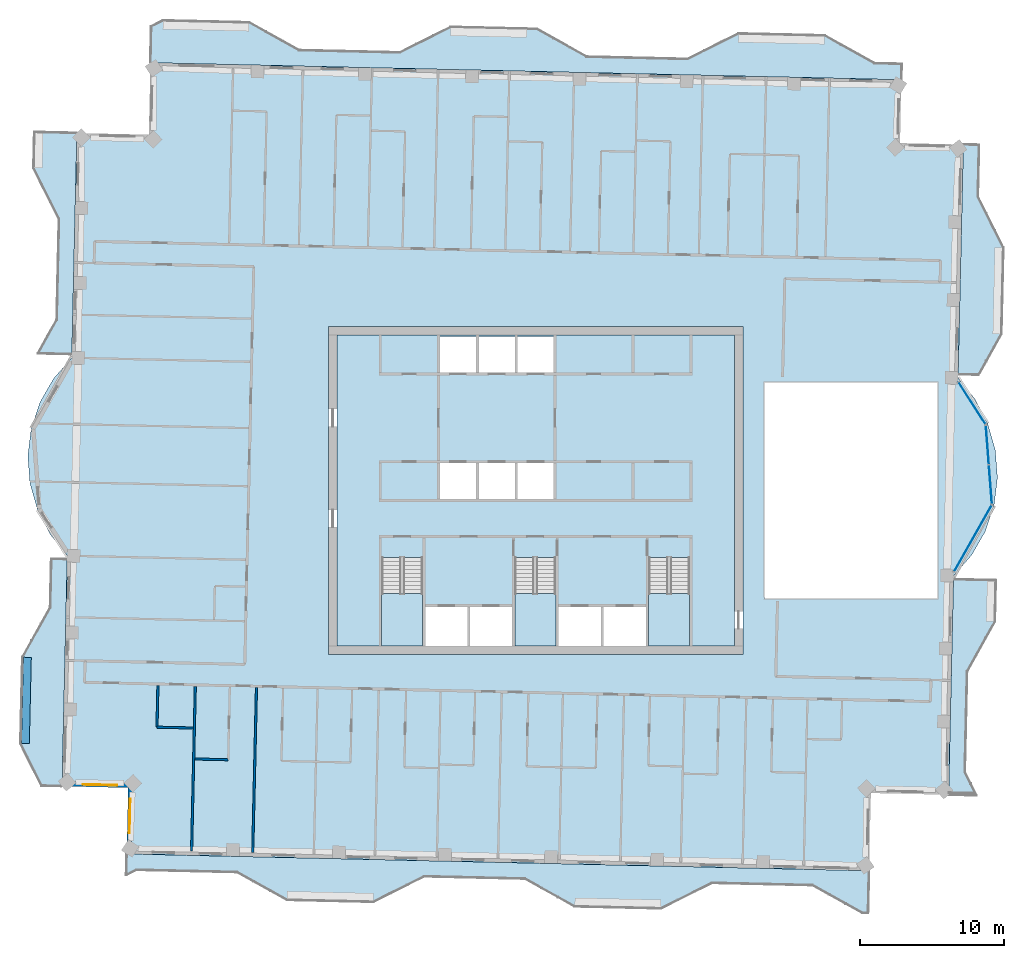
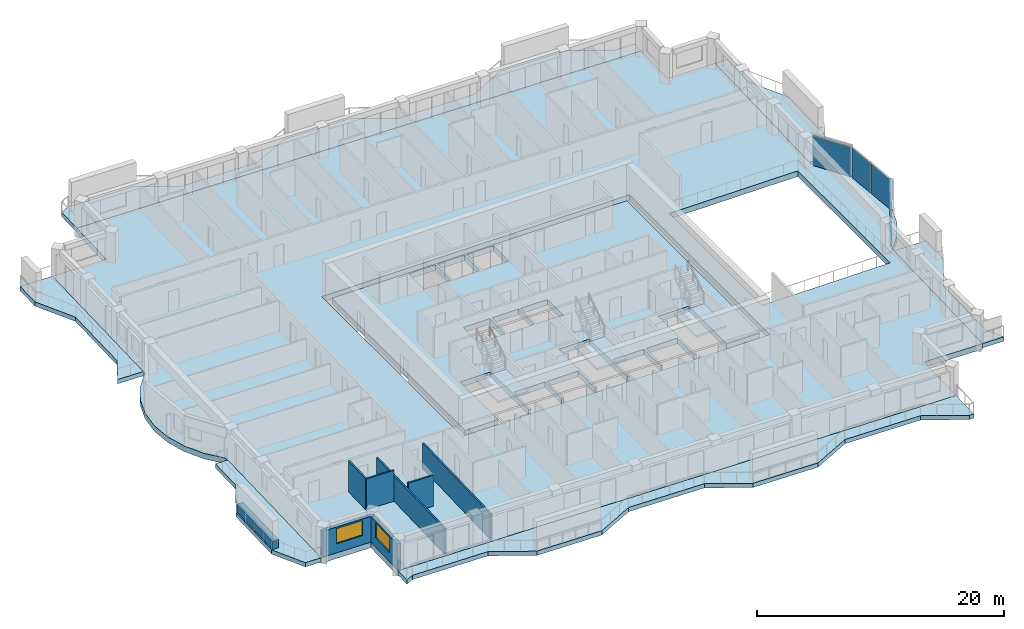
# One storey, part 3 of 15: 11 slabs, 8 walls, 4 plates, 2 windows, 2 openings, 6 elements without a shape of their own.
"""IFC4 building model written with IfcOpenShell, lengths in metres."""

from ifc_helpers import new_model, si_unit, direction, frame, frame_2d, origin, origin_2d, place, context, subcontext, project, spatial, polyline, rectangle, outline, extrude, material, layer, layer_set, type_object, element, fill, aggregate, save


model = new_model("IFC4")

# Units and contexts
model_context = context("Model", 3, precision=1e-05, world=origin(), true_north=direction((0.0, 1.0)))
body_context = subcontext(model_context, "Body", "Model", "MODEL_VIEW")
ifc_project = project(units=[si_unit("LENGTHUNIT", "METRE"), si_unit("AREAUNIT", "SQUARE_METRE"), si_unit("VOLUMEUNIT", "CUBIC_METRE"), si_unit("PLANEANGLEUNIT", "RADIAN"), si_unit("MASSUNIT", "GRAM", prefix="KILO")], contexts=[model_context])

# Site, building, storey
site_placement = place(None, origin())
site = spatial("IfcSite", under=ifc_project, at=site_placement, CompositionType="ELEMENT")
building_placement = place(site_placement, origin())
building = spatial("IfcBuilding", under=site, at=building_placement, Name="Mangrove Gate Tower", CompositionType="ELEMENT")
storey_placement = place(building_placement, frame((0.0, 0.0, 306.10009765625)))
storey = spatial("IfcBuildingStorey", under=building, at=storey_placement, Name="L78", CompositionType="ELEMENT", Elevation=306.10009765625)

# Curtain wall, plate
ifc_material_1 = material(Name="Aluminium and glass curtain wall", Category="aluminium")
curtain_wall_type = type_object("IfcCurtainWallType", Name="Atrium garden-court glazing wall", PredefinedType="NOTDEFINED", material=ifc_material_1)
curtain_wall_1_placement = place(storey_placement, origin())
curtain_wall_1 = element("IfcCurtainWall", 1, at=curtain_wall_1_placement, inside=storey, type_object=curtain_wall_type, Name="Atrium garden-court glazing E1f1", PredefinedType="NOTDEFINED")
ifc_material_2 = material(Name="Laminated low-e glass", Category="glass")
ifc_layer_1 = layer(ifc_material_2, 0.031982421875)
ifc_layer_set_1 = layer_set([ifc_layer_1], Name="Atrium garden-court glazing panel 32")
plate_type = type_object("IfcPlateType", Name="Atrium garden-court glazing panel 32", PredefinedType="CURTAIN_PANEL", material=ifc_layer_set_1)
plate_1_placement = place(storey_placement, frame((30.381103515625, -3.32861328125, 0.0), z_axis=(0.0, 0.0, 1.0), x_axis=(0.4925871539, 0.870263118725, 0.0)))
plate_1 = element("IfcPlate", 2, at=plate_1_placement, type_object=plate_type, Name="CWA panel 1.1", PredefinedType="CURTAIN_PANEL", context=body_context, shape_type="SweptSolid", body=[
    extrude(rectangle(XDim=5.258056640625, YDim=0.031982421875, at=origin_2d()), origin(), (0.0, 0.0, 1.0), 2.97998046875),
])
aggregate(curtain_wall_1, [plate_1])

# Curtain wall, plates
curtain_wall_2_placement = place(storey_placement, origin())
curtain_wall_2 = element("IfcCurtainWall", 3, at=curtain_wall_2_placement, inside=storey, type_object=curtain_wall_type, Name="Atrium garden-court glazing E1f2", PredefinedType="NOTDEFINED")
plate_2_placement = place(storey_placement, frame((31.601806640625, 0.427001953125, 0.0), z_axis=(0.0, 0.0, 1.0), x_axis=(-0.077023348212, 0.997029289354, 0.0)))
plate_2 = element("IfcPlate", 4, at=plate_2_placement, type_object=plate_type, Name="CWA panel 1.1", PredefinedType="CURTAIN_PANEL", context=body_context, shape_type="SweptSolid", body=[
    extrude(rectangle(XDim=2.681640625, YDim=0.031982421875, at=origin_2d()), origin(), (0.0, 0.0, 1.0), 2.97998046875),
])
plate_3_placement = place(storey_placement, frame((31.389892578125, 3.17041015625, 0.0), z_axis=(0.0, 0.0, 1.0), x_axis=(-0.077023348212, 0.997029289354, 0.0)))
plate_3 = element("IfcPlate", 5, at=plate_3_placement, type_object=plate_type, Name="CWA panel 2.1", PredefinedType="CURTAIN_PANEL", context=body_context, shape_type="SweptSolid", body=[
    extrude(rectangle(XDim=2.681640625, YDim=0.031982421875, at=origin_2d()), origin(), (0.0, 0.0, 1.0), 2.97998046875),
])
aggregate(curtain_wall_2, [plate_2, plate_3])

# Curtain wall, plate
curtain_wall_3_placement = place(storey_placement, origin())
curtain_wall_3 = element("IfcCurtainWall", 6, at=curtain_wall_3_placement, inside=storey, type_object=curtain_wall_type, Name="Atrium garden-court glazing E1f3", PredefinedType="NOTDEFINED")
plate_4_placement = place(storey_placement, frame((30.31689453125, 6.078369140625, 0.0), z_axis=(0.0, 0.0, 1.0), x_axis=(-0.540512472211, 0.841336001479, 0.0)))
plate_4 = element("IfcPlate", 7, at=plate_4_placement, type_object=plate_type, Name="CWA panel 1.1", PredefinedType="CURTAIN_PANEL", context=body_context, shape_type="SweptSolid", body=[
    extrude(rectangle(XDim=3.4287109375, YDim=0.031982421875, at=origin_2d()), origin(), (0.0, 0.0, 1.0), 2.97998046875),
])
aggregate(curtain_wall_3, [plate_4])

# Slabs
ifc_material_3 = material(Name="Porcelain tile")
ifc_layer_2 = layer(ifc_material_3, 0.02001953125, Name="Tile finish")
ifc_material_4 = material(Name="Cement sand screed")
ifc_layer_3 = layer(ifc_material_4, 0.0400390625, Name="Screed laid to falls")
ifc_material_5 = material(Name="Bituminous waterproofing membrane")
ifc_layer_4 = layer(ifc_material_5, 0.00390625, Name="Waterproofing")
ifc_material_6 = material(Name="Concrete C40/50", Category="concrete")
ifc_layer_5 = layer(ifc_material_6, 0.340087890625, Name="Balcony structural slab")
ifc_material_7 = material(Name="Limestone", Category="masonry")
ifc_layer_6 = layer(ifc_material_7, 0.01611328125, Name="Soffit lining")
ifc_layer_set_2 = layer_set([ifc_layer_2, ifc_layer_3, ifc_layer_4, ifc_layer_5, ifc_layer_6], Name="Balcony slab 420 C40/50")
slab_type_1 = type_object("IfcSlabType", Name="Balcony slab 420 C40/50", PredefinedType="FLOOR", material=ifc_layer_set_2)
slab_1_placement = place(storey_placement, frame((0.0, 0.0, -0.420166015625)))
element("IfcSlab", 8, at=slab_1_placement, inside=storey, type_object=slab_type_1, Name="BALCONY L78 E0", PredefinedType="FLOOR", context=body_context, shape_type="SweptSolid", body=[
    extrude(outline(polyline([(30.676025390625, -21.18798828125), (29.866943359375, -19.569091796875), (30.02490234375, -12.571044921875), (31.9541015625, -9.114013671875), (32.02001953125, -6.239990234375), (29.030029296875, -6.172119140625), (28.965087890625, -9.0458984375), (28.885986328125, -12.544921875), (28.72705078125, -19.54296875), (28.69091796875, -21.14306640625), (30.676025390625, -21.18798828125)])), origin(), (0.0, 0.0, 1.0), 0.420166015625),
])
slab_2_placement = place(storey_placement, frame((0.0, 0.0, -0.420166015625)))
element("IfcSlab", 9, at=slab_2_placement, inside=storey, type_object=slab_type_1, Name="BALCONY L78 E1", PredefinedType="FLOOR", context=body_context, shape_type="SweptSolid", body=[
    extrude(outline(polyline([(30.823974609375, 8.041015625), (32.407958984375, 10.881103515625), (32.5439453125, 16.87890625), (30.77392578125, 20.419921875), (30.85595703125, 24.01904296875), (29.716064453125, 24.044921875), (29.634033203125, 20.446044921875), (29.554931640625, 16.947021484375), (29.4189453125, 10.948974609375), (29.35400390625, 8.074951171875), (30.823974609375, 8.041015625)])), origin(), (0.0, 0.0, 1.0), 0.420166015625),
])
slab_3_placement = place(storey_placement, frame((0.0, 0.0, -0.420166015625)))
element("IfcSlab", 10, at=slab_3_placement, inside=storey, type_object=slab_type_1, Name="BALCONY L78 N0", PredefinedType="FLOOR", context=body_context, shape_type="SweptSolid", body=[
    extrude(outline(polyline([(25.443115234375, 29.68408203125), (23.54296875, 29.72705078125), (20.0859375, 31.656005859375), (14.087890625, 31.7919921875), (10.547119140625, 30.02197265625), (3.549072265625, 30.180908203125), (0.091064453125, 32.10888671875), (-5.906982421875, 32.24609375), (-9.447998046875, 30.47607421875), (-16.446044921875, 30.634033203125), (-19.903076171875, 32.56298828125), (-25.902099609375, 32.698974609375), (-26.7109375, 32.294921875), (-26.76904296875, 29.72802734375), (25.4169921875, 28.5439453125), (25.443115234375, 29.68408203125)])), origin(), (0.0, 0.0, 1.0), 0.420166015625),
])
slab_4_placement = place(storey_placement, frame((0.0, 0.0, -0.420166015625)))
element("IfcSlab", 11, at=slab_4_placement, inside=storey, type_object=slab_type_1, Name="BALCONY L78 W0", PredefinedType="FLOOR", context=body_context, shape_type="SweptSolid", body=[
    extrude(outline(polyline([(-34.87109375, 24.910888671875), (-34.927978515625, 22.410888671875), (-33.156982421875, 18.8701171875), (-33.31591796875, 11.8720703125), (-34.625, 9.527099609375), (-32.22998046875, 9.471923828125), (-32.177001953125, 11.845947265625), (-32.01806640625, 18.844970703125), (-31.93798828125, 22.343994140625), (-31.882080078125, 24.843017578125), (-34.87109375, 24.910888671875)])), origin(), (0.0, 0.0, 1.0), 0.420166015625),
])
slab_5_placement = place(storey_placement, frame((0.0, 0.0, -0.420166015625)))
element("IfcSlab", 12, at=slab_5_placement, inside=storey, type_object=slab_type_1, Name="BALCONY L78 W1", PredefinedType="FLOOR", context=body_context, shape_type="SweptSolid", body=[
    extrude(outline(polyline([(-33.693115234375, -4.7490234375), (-33.77001953125, -8.123046875), (-35.698974609375, -11.580078125), (-35.8349609375, -17.577880859375), (-34.367919921875, -20.511962890625), (-32.912109375, -20.544921875), (-32.845947265625, -17.64599609375), (-32.7099609375, -11.64794921875), (-32.6298828125, -8.14892578125), (-32.553955078125, -4.77490234375), (-33.693115234375, -4.7490234375)])), origin(), (0.0, 0.0, 1.0), 0.420166015625),
])
slab_6_placement = place(storey_placement, frame((0.0, 0.0, -0.420166015625)))
element("IfcSlab", 13, at=slab_6_placement, inside=storey, type_object=slab_type_1, Name="BALCONY L78 S0", PredefinedType="FLOOR", context=body_context, shape_type="SweptSolid", body=[
    extrude(outline(polyline([(-28.4169921875, -25.2490234375), (-28.450927734375, -26.758056640625), (-27.742919921875, -26.404052734375), (-20.7451171875, -26.56298828125), (-17.2880859375, -28.491943359375), (-11.2890625, -28.6279296875), (-7.748046875, -26.85791015625), (-0.75, -27.01708984375), (2.70703125, -28.946044921875), (8.705078125, -29.08203125), (12.2470703125, -27.31298828125), (19.2451171875, -27.469970703125), (22.701904296875, -29.39892578125), (23.10205078125, -29.407958984375), (23.169921875, -26.4189453125), (-17.219970703125, -25.5029296875), (-27.717041015625, -25.263916015625), (-28.4169921875, -25.2490234375)])), origin(), (0.0, 0.0, 1.0), 0.420166015625),
])
ifc_material_8 = material(Name="Concrete C40/50", Category="concrete")
ifc_layer_7 = layer(ifc_material_8, 0.550048828125)
ifc_layer_set_3 = layer_set([ifc_layer_7], Name="Core floor slab 550 C40/50")
slab_type_2 = type_object("IfcSlabType", Name="Core floor slab 550 C40/50", PredefinedType="FLOOR", material=ifc_layer_set_3)
slab_7_placement = place(storey_placement, frame((0.0, 0.0, -0.550048828125)))
element("IfcSlab", 14, at=slab_7_placement, inside=storey, type_object=slab_type_2, Name="SLAB-L78-CORE-1", PredefinedType="FLOOR", context=body_context, shape_type="SweptSolid", body=[
    extrude(outline(polyline([(-13.800048828125, -10.800048828125), (-13.800048828125, 10.800048828125), (13.800048828125, 10.800048828125), (13.800048828125, -10.800048828125), (10.699951171875, -10.800048828125), (10.699951171875, -4.653076171875), (7.85009765625, -4.653076171875), (7.85009765625, -10.800048828125), (7.64990234375, -10.800048828125), (7.64990234375, -8.10009765625), (4.72509765625, -8.10009765625), (4.72509765625, -10.800048828125), (4.52490234375, -10.800048828125), (4.52490234375, -8.10009765625), (1.60009765625, -8.10009765625), (1.60009765625, -10.800048828125), (1.39990234375, -10.800048828125), (1.39990234375, -4.653076171875), (-1.449951171875, -4.653076171875), (-1.449951171875, -10.800048828125), (-1.64990234375, -10.800048828125), (-1.64990234375, -8.10009765625), (-4.550048828125, -8.10009765625), (-4.550048828125, -10.800048828125), (-4.75, -10.800048828125), (-4.75, -8.10009765625), (-7.64990234375, -8.10009765625), (-7.64990234375, -10.800048828125), (-7.85009765625, -10.800048828125), (-7.85009765625, -4.653076171875), (-10.699951171875, -4.653076171875), (-10.699951171875, -10.800048828125), (-13.800048828125, -10.800048828125)]), holes=[polyline([(-4.14990234375, 1.89990234375), (-6.64990234375, 1.89990234375), (-6.64990234375, -0.60009765625), (-4.14990234375, -0.60009765625), (-4.14990234375, 1.89990234375)]), polyline([(-1.449951171875, -0.60009765625), (-1.449951171875, 1.89990234375), (-3.949951171875, 1.89990234375), (-3.949951171875, -0.60009765625), (-1.449951171875, -0.60009765625)]), polyline([(-4.14990234375, 8.199951171875), (-4.14990234375, 10.699951171875), (-6.64990234375, 10.699951171875), (-6.64990234375, 8.199951171875), (-4.14990234375, 8.199951171875)]), polyline([(-1.449951171875, 10.699951171875), (-3.949951171875, 10.699951171875), (-3.949951171875, 8.199951171875), (-1.449951171875, 8.199951171875), (-1.449951171875, 10.699951171875)]), polyline([(1.25, -0.60009765625), (1.25, 1.89990234375), (-1.25, 1.89990234375), (-1.25, -0.60009765625), (1.25, -0.60009765625)]), polyline([(1.25, 8.199951171875), (1.25, 10.699951171875), (-1.25, 10.699951171875), (-1.25, 8.199951171875), (1.25, 8.199951171875)])]), origin(), (0.0, 0.0, 1.0), 0.550048828125),
])

# Stair, slab
ifc_material_9 = material(Name="Concrete C40/50", Category="concrete")
stair_type = type_object("IfcStairType", Name="Core stair 1350", PredefinedType="HALF_TURN_STAIR", material=ifc_material_9)
stair_1_placement = place(storey_placement, origin())
stair_1 = element("IfcStair", 15, at=stair_1_placement, inside=storey, type_object=stair_type, Name="L78 Stair 1", PredefinedType="HALF_TURN_STAIR")
ifc_material_10 = material(Name="Concrete C40/50", Category="concrete")
ifc_layer_8 = layer(ifc_material_10, 0.199951171875)
ifc_layer_set_4 = layer_set([ifc_layer_8], Name="Core stair landing 200")
slab_type_3 = type_object("IfcSlabType", Name="Core stair landing 200", PredefinedType="LANDING", material=ifc_layer_set_4)
slab_8_placement = place(storey_placement, frame((0.0, 0.0, 1.599853515625)))
slab_8 = element("IfcSlab", 16, at=slab_8_placement, type_object=slab_type_3, Name="ST1 landing 1", PredefinedType="LANDING", context=body_context, shape_type="SweptSolid", body=[
    extrude(outline(polyline([(-10.699951171875, -7.169921875), (-10.699951171875, -10.800048828125), (-7.85009765625, -10.800048828125), (-7.85009765625, -7.169921875), (-10.699951171875, -7.169921875)])), origin(), (0.0, 0.0, 1.0), 0.199951171875),
])
aggregate(stair_1, [slab_8])

stair_2_placement = place(storey_placement, origin())
stair_2 = element("IfcStair", 17, at=stair_2_placement, inside=storey, type_object=stair_type, Name="L78 Stair 2", PredefinedType="HALF_TURN_STAIR")
slab_9_placement = place(storey_placement, frame((0.0, 0.0, 1.599853515625)))
slab_9 = element("IfcSlab", 18, at=slab_9_placement, type_object=slab_type_3, Name="ST2 landing 1", PredefinedType="LANDING", context=body_context, shape_type="SweptSolid", body=[
    extrude(outline(polyline([(-1.449951171875, -7.169921875), (-1.449951171875, -10.800048828125), (1.39990234375, -10.800048828125), (1.39990234375, -7.169921875), (-1.449951171875, -7.169921875)])), origin(), (0.0, 0.0, 1.0), 0.199951171875),
])
aggregate(stair_2, [slab_9])

stair_3_placement = place(storey_placement, origin())
stair_3 = element("IfcStair", 19, at=stair_3_placement, inside=storey, type_object=stair_type, Name="L78 Stair 3", PredefinedType="HALF_TURN_STAIR")
slab_10_placement = place(storey_placement, frame((0.0, 0.0, 1.599853515625)))
slab_10 = element("IfcSlab", 20, at=slab_10_placement, type_object=slab_type_3, Name="ST3 landing 1", PredefinedType="LANDING", context=body_context, shape_type="SweptSolid", body=[
    extrude(outline(polyline([(7.85009765625, -7.169921875), (7.85009765625, -10.800048828125), (10.699951171875, -10.800048828125), (10.699951171875, -7.169921875), (7.85009765625, -7.169921875)])), origin(), (0.0, 0.0, 1.0), 0.199951171875),
])
aggregate(stair_3, [slab_10])

# Slab
ifc_material_11 = material(Name="Concrete C40/50", Category="concrete")
ifc_layer_9 = layer(ifc_material_11, 0.550048828125)
ifc_layer_set_5 = layer_set([ifc_layer_9], Name="Floor slab 550 C40/50")
slab_type_4 = type_object("IfcSlabType", Name="Floor slab 550 C40/50", PredefinedType="FLOOR", material=ifc_layer_set_5)
slab_11_placement = place(storey_placement, frame((0.0, 0.0, -0.550048828125)))
element("IfcSlab", 21, at=slab_11_placement, inside=storey, type_object=slab_type_4, Name="Floor slab L78", PredefinedType="FLOOR", context=body_context, shape_type="SweptSolid", body=[
    extrude(outline(polyline([(-28.417236328125, -25.24853515625), (23.169677734375, -26.419189453125), (23.2919921875, -21.0205078125), (28.690673828125, -21.14306640625), (29.0361328125, -5.92236328125), (30.299072265625, -4.48583984375), (31.252197265625, -2.827392578125), (31.857666015625, -1.012939453125), (32.09130859375, 0.885498046875), (31.944091796875, 2.79248046875), (31.42138671875, 4.632568359375), (30.544677734375, 6.33251953125), (29.34814453125, 7.82470703125), (29.716064453125, 24.045166015625), (25.3173828125, 24.14501953125), (25.4169921875, 28.5439453125), (-26.76953125, 29.728271484375), (-26.8828125, 24.7294921875), (-31.881591796875, 24.843017578125), (-32.236083984375, 9.222412109375), (-33.4990234375, 7.785888671875), (-34.4521484375, 6.12744140625), (-35.0576171875, 4.31298828125), (-35.291259765625, 2.41455078125), (-35.14404296875, 0.507568359375), (-34.62158203125, -1.33251953125), (-33.74462890625, -3.032470703125), (-32.548095703125, -4.524658203125), (-32.91162109375, -20.54541015625), (-28.312744140625, -20.649658203125), (-28.417236328125, -25.24853515625)]), holes=[polyline([(15.89990234375, 7.5), (27.922119140625, 7.5), (27.922119140625, -7.5), (15.89990234375, -7.5), (15.89990234375, 7.5)]), polyline([(-14.39990234375, -11.39990234375), (-14.39990234375, 11.39990234375), (14.39990234375, 11.39990234375), (14.39990234375, -11.39990234375), (-14.39990234375, -11.39990234375)])]), origin(), (0.0, 0.0, 1.0), 0.550048828125),
])

# Wall, opening, window
ifc_layer_10 = layer(ifc_material_7, 0.0400390625, Name="Limestone cladding")
ifc_material_12 = material(Name="Ventilated air gap")
ifc_layer_11 = layer(ifc_material_12, 0.0400390625, Name="Ventilated cavity")
ifc_material_13 = material(Name="Mineral wool insulation")
ifc_layer_12 = layer(ifc_material_13, 0.06005859375, Name="Insulation")
ifc_material_14 = material(Name="Breather membrane")
ifc_layer_13 = layer(ifc_material_14, 0.001953125, Name="Breather membrane")
ifc_material_15 = material(Name="Concrete C20/25 blockwork", Category="masonry")
ifc_layer_14 = layer(ifc_material_15, 0.14990234375, Name="Blockwork backing wall")
ifc_material_16 = material(Name="Gypsum plaster")
ifc_layer_15 = layer(ifc_material_16, 0.008056640625, Name="Internal plaster")
ifc_layer_set_6 = layer_set([ifc_layer_10, ifc_layer_11, ifc_layer_12, ifc_layer_13, ifc_layer_14, ifc_layer_15], Name="External wall 300 limestone cladding")
wall_type_1 = type_object("IfcWallType", Name="External wall 300 limestone cladding", PredefinedType="SOLIDWALL", material=ifc_layer_set_6)
wall_1_placement = place(storey_placement, frame((-32.758056640625, -20.39892578125, 0.0), z_axis=(0.0, 0.0, 1.0), x_axis=(0.999744404568, -0.02260808559, 0.0)))
wall_1 = element("IfcWall", 22, at=wall_1_placement, inside=storey, type_object=wall_type_1, Name="WALL-L78-S11", PredefinedType="SOLIDWALL", context=body_context, shape_type="SweptSolid", body=[
    extrude(rectangle(XDim=4.600341796875, YDim=0.300048828125, at=frame_2d((2.30029296875, 0.0))), origin(), (0.0, 0.0, 1.0), 2.5498046875),
])
opening_1_placement = place(wall_1_placement, frame((1.278076171875, 0.0, 0.89990234375)))
opening_1 = element("IfcOpeningElement", 23, at=opening_1_placement, cuts=wall_1, Name="Opening W2", PredefinedType="OPENING", context=body_context, shape_type="SweptSolid", body=[
    extrude(rectangle(XDim=2.39990234375, YDim=1.5, at=frame_2d((1.199951171875, 0.75))), frame((0.0, 0.159912109375, 0.0), z_axis=(0.0, -1.0, 0.0), x_axis=(1.0, 0.0, 0.0)), (0.0, 0.0, 1.0), 0.320068359375),
])
ifc_material_17 = material(Name="Aluminium frame with double-glazed low-e glass", Category="aluminium")
window_type = type_object("IfcWindowType", Name="Corner room window 2400x1500", PartitioningType="DOUBLE_PANEL_VERTICAL", PredefinedType="WINDOW", material=ifc_material_17)
window_1_placement = place(opening_1_placement, origin())
window_1 = element("IfcWindow", 24, at=window_1_placement, inside=storey, type_object=window_type, Name="WIN-L78-S11-1", OverallHeight=1.5, OverallWidth=2.39990234375, PartitioningType="DOUBLE_PANEL_VERTICAL", PredefinedType="WINDOW", context=body_context, shape_type="SweptSolid", body=[
    extrude(rectangle(XDim=2.39990234375, YDim=1.5, at=frame_2d((1.199951171875, 0.75))), frame((0.0, 0.030029296875, 0.0), z_axis=(0.0, -1.0, 0.0), x_axis=(1.0, 0.0, 0.0)), (0.0, 0.0, 1.0), 0.06005859375),
])
fill(opening_1, window_1)

wall_2_placement = place(storey_placement, frame((-28.158935546875, -20.5029296875, 0.0), z_axis=(0.0, 0.0, 1.0), x_axis=(-0.022820258049, -0.999739584003, 0.0)))
wall_2 = element("IfcWall", 25, at=wall_2_placement, inside=storey, type_object=wall_type_1, Name="WALL-L78-W12", PredefinedType="SOLIDWALL", context=body_context, shape_type="SweptSolid", body=[
    extrude(rectangle(XDim=4.600341796875, YDim=0.300048828125, at=frame_2d((2.30029296875, 0.0))), origin(), (0.0, 0.0, 1.0), 2.5498046875),
])
opening_2_placement = place(wall_2_placement, frame((0.908935546875, 0.0, 0.89990234375)))
opening_2 = element("IfcOpeningElement", 26, at=opening_2_placement, cuts=wall_2, Name="Opening W2", PredefinedType="OPENING", context=body_context, shape_type="SweptSolid", body=[
    extrude(rectangle(XDim=2.39990234375, YDim=1.5, at=frame_2d((1.199951171875, 0.75))), frame((0.0, 0.159912109375, 0.0), z_axis=(0.0, -1.0, 0.0), x_axis=(1.0, 0.0, 0.0)), (0.0, 0.0, 1.0), 0.320068359375),
])
window_2_placement = place(opening_2_placement, origin())
window_2 = element("IfcWindow", 27, at=window_2_placement, inside=storey, type_object=window_type, Name="WIN-L78-W12-1", OverallHeight=1.5, OverallWidth=2.39990234375, PartitioningType="DOUBLE_PANEL_VERTICAL", PredefinedType="WINDOW", context=body_context, shape_type="SweptSolid", body=[
    extrude(rectangle(XDim=2.39990234375, YDim=1.5, at=frame_2d((1.199951171875, 0.75))), frame((0.0, 0.030029296875, 0.0), z_axis=(0.0, -1.0, 0.0), x_axis=(1.0, 0.0, 0.0)), (0.0, 0.0, 1.0), 0.06005859375),
])
fill(opening_2, window_2)

# Walls
ifc_material_18 = material(Name="Gypsum board on steel stud, EI 60", Category="steel")
ifc_layer_16 = layer(ifc_material_18, 0.14990234375)
ifc_layer_set_7 = layer_set([ifc_layer_16], Name="Party wall 150 EI 60")
wall_type_2 = type_object("IfcWallType", Name="Party wall 150 EI 60", PredefinedType="PARTITIONING", material=ifc_layer_set_7)
for number, where, z_axis, x_axis, name in (
    (28, (-23.912109375, -25.051025390625, 0.0), (0.0, 0.0, 1.0), (0.022708327922, 0.999742132674, 0.0), "WALL-L78-001"),
    (29, (-19.6630859375, -25.14697265625, 0.0), (0.0, 0.0, 1.0), (0.022708327922, 0.999742132674, 0.0), "WALL-L78-002"),
):
    element("IfcWall", number, at=place(storey_placement, frame(where, z_axis=z_axis, x_axis=x_axis)), inside=storey, type_object=wall_type_2, Name=name, PredefinedType="PARTITIONING", context=body_context, shape_type="SweptSolid", body=[
        extrude(rectangle(XDim=11.449951171875, YDim=0.14990234375, at=frame_2d((5.72509765625, 0.0))), origin(), (0.0, 0.0, 1.0), 2.5),
    ])
wall_3_placement = place(storey_placement, frame((-23.69091796875, -18.654052734375, 0.0), z_axis=(0.0, 0.0, 1.0), x_axis=(0.999740260747, -0.02279059109, 0.0)))
element("IfcWall", 30, at=wall_3_placement, inside=storey, type_object=wall_type_2, Name="WALL-L78-016", PredefinedType="PARTITIONING", context=body_context, shape_type="SweptSolid", body=[
    extrude(rectangle(XDim=2.324462890625, YDim=0.14990234375, at=frame_2d((1.162109375, 0.0))), origin(), (0.0, 0.0, 1.0), 3.0498046875),
])
wall_4_placement = place(storey_placement, frame((-26.31689453125, -16.444091796875, 0.0), z_axis=(0.0, 0.0, 1.0), x_axis=(0.9997461113, -0.022532486354, 0.0)))
element("IfcWall", 31, at=wall_4_placement, inside=storey, type_object=wall_type_2, Name="WALL-L78-030", PredefinedType="PARTITIONING", context=body_context, shape_type="SweptSolid", body=[
    extrude(rectangle(XDim=2.524658203125, YDim=0.14990234375, at=frame_2d((1.26220703125, 0.0))), origin(), (0.0, 0.0, 1.0), 3.0498046875),
])
wall_5_placement = place(storey_placement, frame((-26.31689453125, -16.444091796875, 0.0), z_axis=(0.0, 0.0, 1.0), x_axis=(0.022730967319, 0.999741618182, 0.0)))
element("IfcWall", 32, at=wall_5_placement, inside=storey, type_object=wall_type_2, Name="WALL-L78-031", PredefinedType="PARTITIONING", context=body_context, shape_type="SweptSolid", body=[
    extrude(rectangle(XDim=2.89990234375, YDim=0.14990234375, at=frame_2d((1.449951171875, 0.0))), origin(), (0.0, 0.0, 1.0), 3.0498046875),
])
ifc_material_19 = material(Name="Concrete C32/40", Category="concrete")
ifc_layer_17 = layer(ifc_material_19, 0.199951171875, Name="Planter trough wall")
ifc_layer_18 = layer(ifc_material_5, 0.0048828125, Name="Waterproofing")
ifc_material_20 = material(Name="Drainage board and gravel")
ifc_layer_19 = layer(ifc_material_20, 0.044921875, Name="Drainage layer")
ifc_material_21 = material(Name="Planting soil")
ifc_layer_20 = layer(ifc_material_21, 0.300048828125, Name="Growing medium")
ifc_layer_set_8 = layer_set([ifc_layer_17, ifc_layer_18, ifc_layer_19, ifc_layer_20], Name="Planter wall 550 C32/40")
wall_type_3 = type_object("IfcWallType", Name="Planter wall 550 C32/40", PredefinedType="USERDEFINED", material=ifc_layer_set_8)
wall_6_placement = place(storey_placement, frame((-35.4599609375, -17.5859375, 0.0), z_axis=(0.0, 0.0, 1.0), x_axis=(0.022665943652, 0.999743094499, 0.0)))
element("IfcWall", 33, at=wall_6_placement, inside=storey, type_object=wall_type_3, Name="PLANTER L78 W1.1", ObjectType="PLANTER", PredefinedType="USERDEFINED", context=body_context, shape_type="SweptSolid", body=[
    extrude(rectangle(XDim=5.99951171875, YDim=0.550048828125, at=frame_2d((2.999755859375, 0.0))), origin(), (0.0, 0.0, 1.0), 0.7998046875),
])

save(model, "model.ifc")
